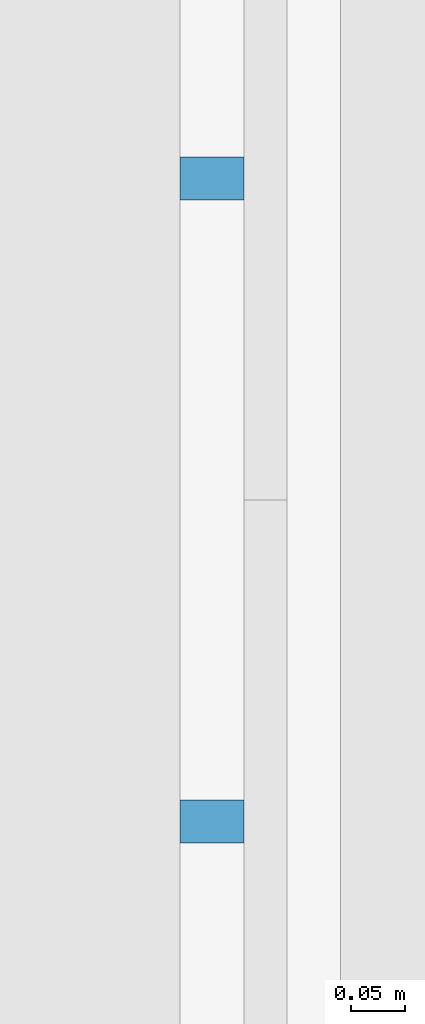
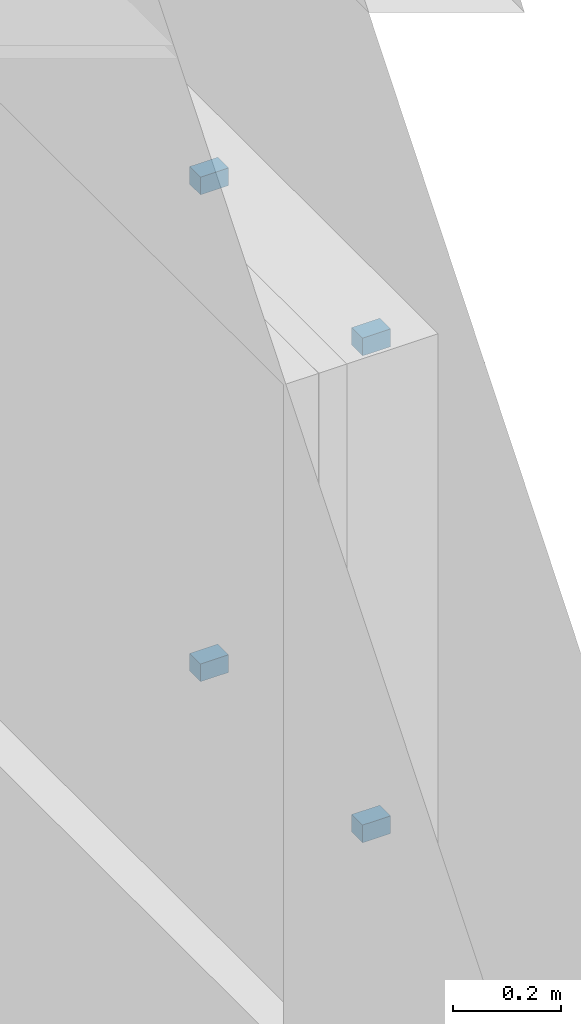
# One storey, part 50 of 69: 4 discrete accessories.
"""IFC4 building model written with IfcOpenShell, lengths in metres."""

from ifc_helpers import new_model, si_unit, direction, frame, origin, origin_2d, place, context, subcontext, project, spatial, rectangle, extrude, material, type_object, element, save


model = new_model("IFC4")

# Units and contexts
model_context = context("Model", 3, precision=1e-05, world=origin(), true_north=direction((0.0, 1.0)))
body_context = subcontext(model_context, "Body", "Model", "MODEL_VIEW")
ifc_project = project(units=[si_unit("LENGTHUNIT", "METRE"), si_unit("AREAUNIT", "SQUARE_METRE"), si_unit("VOLUMEUNIT", "CUBIC_METRE"), si_unit("PLANEANGLEUNIT", "RADIAN"), si_unit("MASSUNIT", "GRAM", prefix="KILO")], contexts=[model_context])

# Site, building, storey
site_placement = place(None, origin())
site = spatial("IfcSite", under=ifc_project, at=site_placement, CompositionType="ELEMENT")
building_placement = place(site_placement, origin())
building = spatial("IfcBuilding", under=site, at=building_placement, Name="Mazhai Court Health Centre", CompositionType="ELEMENT")
storey_placement = place(building_placement, frame((0.0, 0.0, 6.300048828125)))
storey = spatial("IfcBuildingStorey", under=building, at=storey_placement, Name="L01", CompositionType="ELEMENT", Elevation=6.300048828125)

# Discrete accessories
ifc_material = material(Name="Steel IS 2062 E250", Category="steel")
discrete_accessory_type = type_object("IfcDiscreteAccessoryType", Name="BRACKET 40", PredefinedType="BRACKET", material=ifc_material)
for number, where, z_axis, x_axis, name in (
    (1, (35.195068359375, 32.89990234375, 1.079833984375), (0.0, 0.0, 1.0), (0.0, 1.0, 0.0), "BR-V5-L01-B31a0"),
    (2, (35.195068359375, 32.89990234375, 2.179931640625), (0.0, 0.0, 1.0), (0.0, 1.0, 0.0), "BR-V5-L01-B31a1"),
    (3, (35.195068359375, 33.5, 1.079833984375), (0.0, 0.0, 1.0), (0.0, 1.0, 0.0), "BR-V5-L01-B31b0"),
    (4, (35.195068359375, 33.5, 2.179931640625), (0.0, 0.0, 1.0), (0.0, 1.0, 0.0), "BR-V5-L01-B31b1"),
):
    element("IfcDiscreteAccessory", number, at=place(storey_placement, frame(where, z_axis=z_axis, x_axis=x_axis)), inside=storey, type_object=discrete_accessory_type, Name=name, PredefinedType="BRACKET", context=body_context, shape_type="SweptSolid", body=[
        extrude(rectangle(XDim=0.0400390625, YDim=0.06005859375, at=origin_2d()), origin(), (0.0, 0.0, 1.0), 0.0400390625),
    ])

save(model, "model.ifc")
